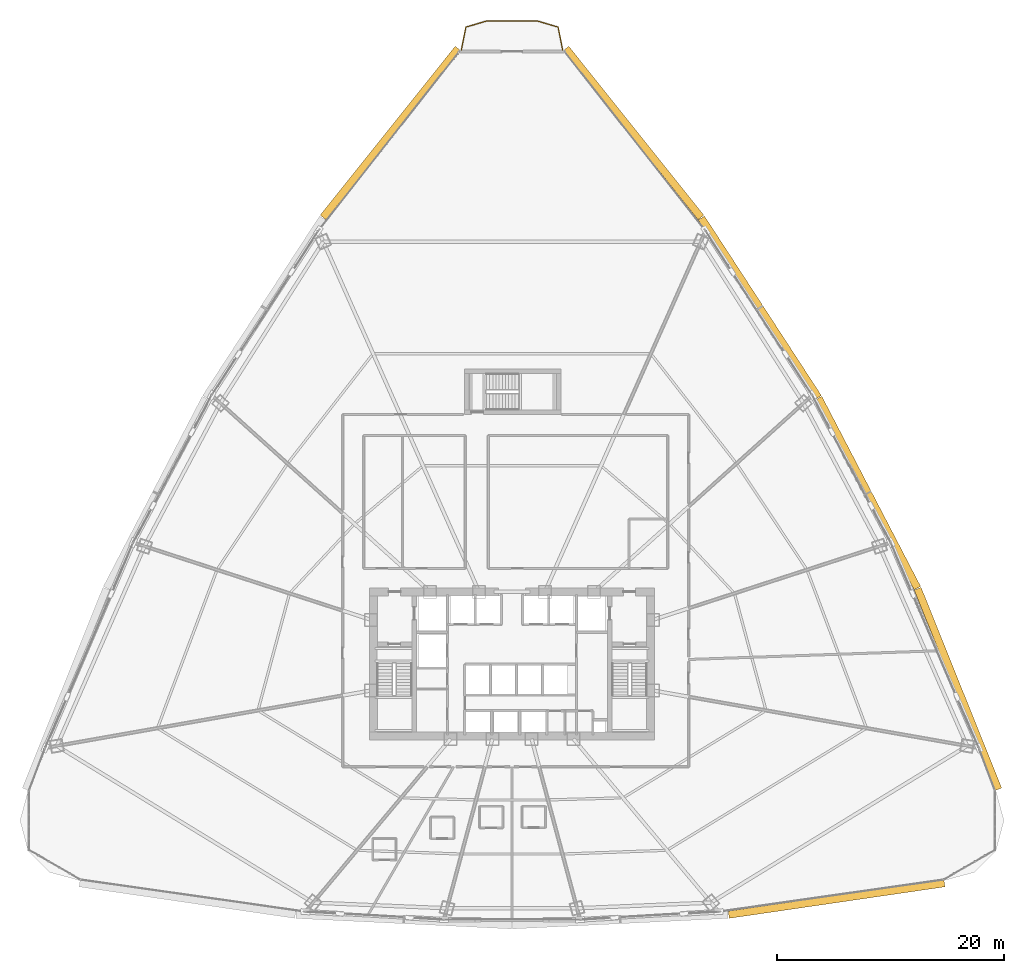
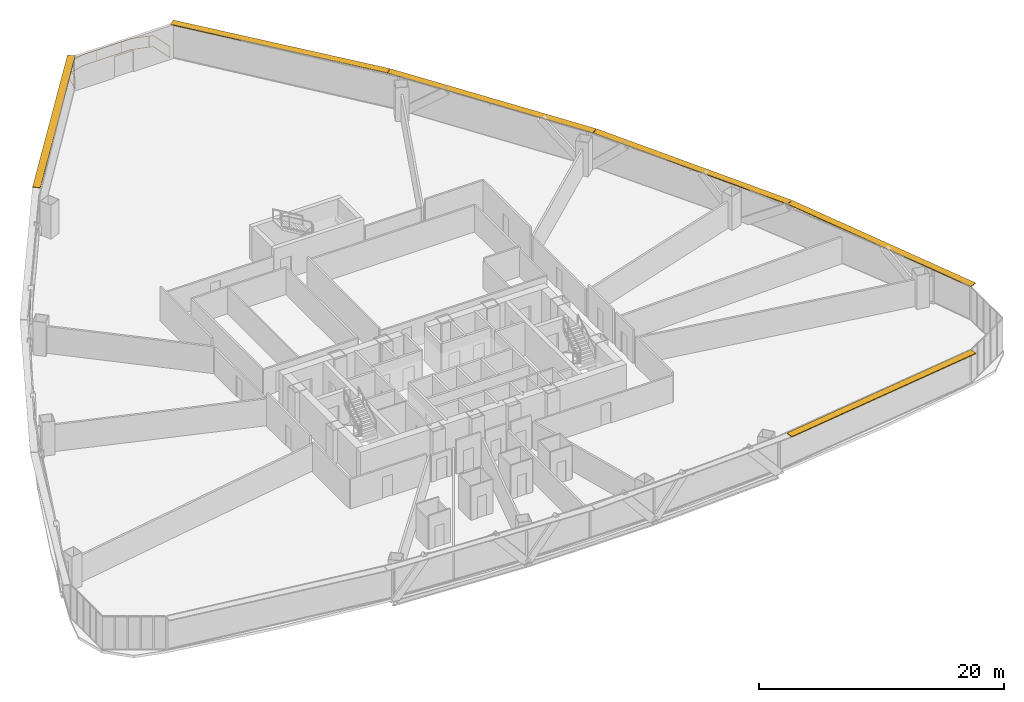
# One storey, part 41 of 41: 6 shading devices, 1 railing.
"""IFC4 building model written with IfcOpenShell, lengths in metres."""

import ifcopenshell
import ifcopenshell.guid

model = None  # the IFC model being written
_history = None  # IfcOwnerHistory: only IFC2X3 demands one
_inside = {}  # id of a spatial element -> (the spatial element, [elements in it])
_under = {}  # id of a project, library or spatial element -> (it, [spatial elements below it])
_declared = {}  # id of a project -> (the project, [libraries it declares])
_typed = {}  # id of a type object -> (the type object, [elements of that type])
_made_of = {}  # id of a material, layer set ... -> (it, [elements and type objects made of it])


def new_model(schema):
    """Start an empty IFC model of exactly this schema.

    Asked for "IFC4X3", IfcOpenShell would pick the latest addendum, in which some entities
    have other attributes; the version numbers below select the first issue.
    IFC2X3 requires an IfcOwnerHistory on every rooted entity: one is made here for all.
    """
    global model, _history
    if schema == "IFC4X3":
        model = ifcopenshell.file(schema_version=(4, 3, 0, 0))
    else:
        model = ifcopenshell.file(schema=schema)
    _inside.clear()
    _under.clear()
    _declared.clear()
    _typed.clear()
    _made_of.clear()
    _history = None
    if model.schema == "IFC2X3":
        org = make("IfcOrganization", Name="unknown")
        user = make(
            "IfcPersonAndOrganization",
            ThePerson=make("IfcPerson", FamilyName="unknown"),
            TheOrganization=org,
        )
        app = make(
            "IfcApplication",
            ApplicationDeveloper=org,
            Version="unknown",
            ApplicationFullName="unknown",
            ApplicationIdentifier="unknown",
        )
        _history = make(
            "IfcOwnerHistory",
            OwningUser=user,
            OwningApplication=app,
            ChangeAction="ADDED",
            CreationDate=0,
        )
    return model


def make(cls, **values):
    """One entity of the class cls with the attributes given. An attribute that is None is left unset."""
    return model.create_entity(
        cls, **{name: value for name, value in values.items() if value is not None}
    )


def rooted(cls, **values):
    """An entity with a GlobalId (a new one), such as an element, a storey or a relation."""
    return make(cls, GlobalId=ifcopenshell.guid.new(), OwnerHistory=_history, **values)


def si_unit(unit_type, name, prefix=None):
    """IfcSIUnit, for example si_unit("LENGTHUNIT", "METRE", prefix="MILLI")."""
    return make("IfcSIUnit", UnitType=unit_type, Prefix=prefix, Name=name)


def assignment(units):
    """IfcUnitAssignment: the units of a project."""
    return None if units is None else make("IfcUnitAssignment", Units=units)


def point(xyz):
    """IfcCartesianPoint."""
    return None if xyz is None else make("IfcCartesianPoint", Coordinates=xyz)


def direction(xyz):
    """IfcDirection."""
    return None if xyz is None else make("IfcDirection", DirectionRatios=xyz)


def frame(location, z_axis=None, x_axis=None):
    """IfcAxis2Placement3D, a coordinate frame: its origin and axes. An axis left out is left unset."""
    return make(
        "IfcAxis2Placement3D",
        Location=point(location),
        Axis=direction(z_axis),
        RefDirection=direction(x_axis),
    )


def frame_2d(location, x_axis=None):
    """IfcAxis2Placement2D, a coordinate frame in the plane: its origin and x axis."""
    return make(
        "IfcAxis2Placement2D", Location=point(location), RefDirection=direction(x_axis)
    )


def origin():
    """The frame at (0, 0, 0) with its axes left unset."""
    return frame((0.0, 0.0, 0.0))


def origin_2d():
    """The frame at (0, 0) in the plane with its x axis left unset."""
    return frame_2d((0.0, 0.0))


def place(relative_to, where):
    """IfcLocalPlacement: puts the frame where relative to a parent placement (None: the world)."""
    return make(
        "IfcLocalPlacement", PlacementRelTo=relative_to, RelativePlacement=where
    )


def context(
    kind, dimensions, precision=None, world=None, true_north=None, identifier=None
):
    """IfcGeometricRepresentationContext, for example the 3D "Model" context."""
    return make(
        "IfcGeometricRepresentationContext",
        ContextIdentifier=identifier,
        ContextType=kind,
        CoordinateSpaceDimension=dimensions,
        Precision=precision,
        WorldCoordinateSystem=world,
        TrueNorth=true_north,
    )


def subcontext(parent, identifier, kind, view, scale=None):
    """IfcGeometricRepresentationSubContext, for example "Body" below "Model"."""
    return make(
        "IfcGeometricRepresentationSubContext",
        ContextIdentifier=identifier,
        ContextType=kind,
        ParentContext=parent,
        TargetScale=scale,
        TargetView=view,
    )


def project(units=None, contexts=None):
    """IfcProject with its units and contexts."""
    return rooted(
        "IfcProject",
        Name="project",
        RepresentationContexts=contexts,
        UnitsInContext=assignment(units),
    )


def spatial(cls, under=None, at=None, **own):
    """A site, building, storey or space (cls), placed at a placement, below another one or the project."""
    s = rooted(cls, ObjectPlacement=at, **own)
    if under is not None:
        _under.setdefault(under.id(), (under, []))[1].append(s)
    return s


def profile(cls, at=None, kind="AREA", **sizes):
    """A parametric profile (cls). Its sizes go by their IFC names, for example OverallWidth=200.0."""
    return make(cls, ProfileType=kind, Position=at, **sizes)


def rectangle(**sizes):
    """IfcRectangleProfileDef."""
    return profile("IfcRectangleProfileDef", **sizes)


def extrude(swept, where, along, depth):
    """IfcExtrudedAreaSolid: the profile swept, set in the frame where, extruded along a direction by depth."""
    return make(
        "IfcExtrudedAreaSolid",
        SweptArea=swept,
        Position=where,
        ExtrudedDirection=direction(along),
        Depth=depth,
    )


def shape(context_of_items, identifier, shape_type, items):
    """IfcShapeRepresentation: the items that make up one representation, for example the "Body"."""
    return make(
        "IfcShapeRepresentation",
        ContextOfItems=context_of_items,
        RepresentationIdentifier=identifier,
        RepresentationType=shape_type,
        Items=items,
    )


def source(mapping_origin, context_of_items, identifier, shape_type, items):
    """IfcRepresentationMap: a shape defined once, which mapped items show again and again."""
    return make(
        "IfcRepresentationMap",
        MappingOrigin=mapping_origin,
        MappedRepresentation=shape(context_of_items, identifier, shape_type, items),
    )


def transform(
    local_origin,
    x_axis=None,
    y_axis=None,
    z_axis=None,
    scale=None,
    scale2=None,
    scale3=None,
    uniform=True,
):
    """IfcCartesianTransformationOperator3D, or its non-uniform kind. x_axis, y_axis, z_axis: its Axis1, 2, 3."""
    if uniform:
        return make(
            "IfcCartesianTransformationOperator3D",
            Axis1=direction(x_axis),
            Axis2=direction(y_axis),
            LocalOrigin=point(local_origin),
            Scale=scale,
            Axis3=direction(z_axis),
        )
    return make(
        "IfcCartesianTransformationOperator3DnonUniform",
        Axis1=direction(x_axis),
        Axis2=direction(y_axis),
        LocalOrigin=point(local_origin),
        Scale=scale,
        Axis3=direction(z_axis),
        Scale2=scale2,
        Scale3=scale3,
    )


def mapped(mapping_source, mapping_target):
    """IfcMappedItem: shows the shape of a source again, moved by a transform."""
    return make(
        "IfcMappedItem", MappingSource=mapping_source, MappingTarget=mapping_target
    )


def material(Name=None, Category=None):
    """IfcMaterial."""
    return make("IfcMaterial", Name=Name, Category=Category)


def layer(
    of_material, thickness, ventilated=None, Name=None, Category=None, Priority=None
):
    """IfcMaterialLayer: one layer of a wall or slab, of a material (None: an air gap)."""
    return make(
        "IfcMaterialLayer",
        Material=of_material,
        LayerThickness=thickness,
        IsVentilated=ventilated,
        Name=Name,
        Category=Category,
        Priority=Priority,
    )


def layer_set(layers, Name=None):
    """IfcMaterialLayerSet."""
    return make("IfcMaterialLayerSet", MaterialLayers=layers, LayerSetName=Name)


def made_of(thing, what):
    """Note that an element or type object is made of a material, layer set ...; save() writes the relation."""
    if what is not None:
        _made_of.setdefault(what.id(), (what, []))[1].append(thing)
    return thing


def type_object(cls, material=None, **own):
    """A type object (cls), such as IfcWallType, which elements share."""
    return made_of(rooted(cls, **own), material)


def element(
    cls,
    number,
    at=None,
    inside=None,
    cuts=None,
    type_object=None,
    material=None,
    context=None,
    identifier="Body",
    shape_type=None,
    held_by="IfcProductDefinitionShape",
    body=None,
    shapes=None,
    **own,
):
    """One element of the class cls, such as IfcWall. Its Tag is "e" and its number.

    at: its placement. inside: the storey or other place that contains it. cuts: it is an
    opening in that element (IfcRelVoidsElement). A single representation is given by context,
    identifier, shape_type and body (its items); several are given by shapes. held_by: the class
    of the entity that holds the representations. save() writes the other relations.
    """
    e = rooted(cls, Tag="e%d" % number, ObjectPlacement=at, **own)
    if body is not None:
        shapes = [shape(context, identifier, shape_type, body)]
    if shapes is not None:
        e.Representation = make(held_by, Representations=shapes)
    if inside is not None:
        _inside.setdefault(inside.id(), (inside, []))[1].append(e)
    if cuts is not None:
        rooted(
            "IfcRelVoidsElement", RelatingBuildingElement=cuts, RelatedOpeningElement=e
        )
    if type_object is not None:
        _typed.setdefault(type_object.id(), (type_object, []))[1].append(e)
    return made_of(e, material)


def aggregate(whole, parts):
    """IfcRelAggregates: a whole, such as a stair, and the parts it consists of."""
    return rooted("IfcRelAggregates", RelatingObject=whole, RelatedObjects=parts)


def save(model, path):
    """Write the relations noted so far, then the file.

    IfcRelAggregates (storeys below a building ...), IfcRelContainedInSpatialStructure (elements
    in a storey), IfcRelDefinesByType, IfcRelAssociatesMaterial and IfcRelDeclares: one each for
    every whole, place, type object, material and project.
    """
    for whole, parts in _under.values():
        aggregate(whole, parts)
    for where, things in _inside.values():
        rooted(
            "IfcRelContainedInSpatialStructure",
            RelatedElements=things,
            RelatingStructure=where,
        )
    for kind, things in _typed.values():
        rooted("IfcRelDefinesByType", RelatedObjects=things, RelatingType=kind)
    for what, things in _made_of.values():
        rooted("IfcRelAssociatesMaterial", RelatedObjects=things, RelatingMaterial=what)
    for by, libraries in _declared.values():
        rooted("IfcRelDeclares", RelatingContext=by, RelatedDefinitions=libraries)
    model.write(path)


model = new_model("IFC4")

# Units and contexts
model_context = context("Model", 3, precision=1e-05, world=origin(), true_north=direction((0.0, 1.0)))
body_context = subcontext(model_context, "Body", "Model", "MODEL_VIEW")
ifc_project = project(units=[si_unit("LENGTHUNIT", "METRE"), si_unit("AREAUNIT", "SQUARE_METRE"), si_unit("VOLUMEUNIT", "CUBIC_METRE"), si_unit("PLANEANGLEUNIT", "RADIAN"), si_unit("MASSUNIT", "GRAM", prefix="KILO"), si_unit("THERMODYNAMICTEMPERATUREUNIT", "KELVIN"), si_unit("POWERUNIT", "WATT")], contexts=[model_context])

# Site, building, storey
site_placement = place(None, origin())
site = spatial("IfcSite", under=ifc_project, at=site_placement, CompositionType="ELEMENT")
building_placement = place(site_placement, origin())
building = spatial("IfcBuilding", under=site, at=building_placement, Name="Yunzhuo Pagoda Commons", CompositionType="ELEMENT")
storey_placement = place(building_placement, frame((0.0, 0.0, 63.070068359375)))
storey = spatial("IfcBuildingStorey", under=building, at=storey_placement, Name="L16", CompositionType="ELEMENT", Elevation=63.070068359375)

# Railing
ifc_material = material(Name="Anodized aluminium 6063-T6", Category="aluminium")
railing_type = type_object("IfcRailingType", Name="RL-BAL1 Exterior Terrace & Balcony Balustrade 1150", PredefinedType="BALUSTRADE", material=ifc_material)
railing_placement = place(storey_placement, frame((52.462890625, 87.865234375, 0.0)))
element("IfcRailing", 1, at=railing_placement, inside=storey, type_object=railing_type, Name="L16 corner balcony balustrade V3", PredefinedType="BALUSTRADE", context=body_context, shape_type="SweptSolid", body=[
    extrude(rectangle(XDim=0.048095703125, YDim=0.048095703125, at=origin_2d()), frame((0.0, 0.0, 1.1259765625), z_axis=(-0.194200568098, 0.980961843983, 0.0), x_axis=(-0.980961843983, -0.194200568098, 0.0)), (0.0, 0.0, 1.0), 2.059326171875),
    extrude(rectangle(XDim=0.048095703125, YDim=0.048095703125, at=origin_2d()), frame((0.0, 0.0, 0.02392578125), z_axis=(-0.194200568098, 0.980961843983, 0.0), x_axis=(-0.980961843983, -0.194200568098, 0.0)), (0.0, 0.0, 1.0), 2.059326171875),
    extrude(rectangle(XDim=0.048095703125, YDim=0.048095703125, at=origin_2d()), frame((-0.39990234375, 2.02001953125, 1.1259765625), z_axis=(-0.958912727706, 0.283701217205, 0.0), x_axis=(-0.283701217205, -0.958912727706, 0.0)), (0.0, 0.0, 1.0), 1.8681640625),
    extrude(rectangle(XDim=0.048095703125, YDim=0.048095703125, at=origin_2d()), frame((-0.39990234375, 2.02001953125, 0.02392578125), z_axis=(-0.958912727706, 0.283701217205, 0.0), x_axis=(-0.283701217205, -0.958912727706, 0.0)), (0.0, 0.0, 1.0), 1.8681640625),
    extrude(rectangle(XDim=0.048095703125, YDim=0.048095703125, at=origin_2d()), frame((-2.19140625, 2.550048828125, 1.1259765625), z_axis=(-1.0, 0.0, 0.0), x_axis=(0.0, -1.0, 0.0)), (0.0, 0.0, 1.0), 4.54296875),
    extrude(rectangle(XDim=0.048095703125, YDim=0.048095703125, at=origin_2d()), frame((-2.19140625, 2.550048828125, 0.02392578125), z_axis=(-1.0, 0.0, 0.0), x_axis=(0.0, -1.0, 0.0)), (0.0, 0.0, 1.0), 4.54296875),
    extrude(rectangle(XDim=0.048095703125, YDim=0.048095703125, at=origin_2d()), frame((-6.734375, 2.550048828125, 1.1259765625), z_axis=(-0.958912727706, -0.283701217205, 0.0), x_axis=(0.283701217205, -0.958912727706, 0.0)), (0.0, 0.0, 1.0), 1.8681640625),
    extrude(rectangle(XDim=0.048095703125, YDim=0.048095703125, at=origin_2d()), frame((-6.734375, 2.550048828125, 0.02392578125), z_axis=(-0.958912727706, -0.283701217205, 0.0), x_axis=(0.283701217205, -0.958912727706, 0.0)), (0.0, 0.0, 1.0), 1.8681640625),
    extrude(rectangle(XDim=0.048095703125, YDim=0.048095703125, at=origin_2d()), frame((-8.52587890625, 2.02001953125, 1.1259765625), z_axis=(-0.194200568098, -0.980961843983, 0.0), x_axis=(0.980961843983, -0.194200568098, 0.0)), (0.0, 0.0, 1.0), 2.059326171875),
    extrude(rectangle(XDim=0.048095703125, YDim=0.048095703125, at=origin_2d()), frame((-8.52587890625, 2.02001953125, 0.02392578125), z_axis=(-0.194200568098, -0.980961843983, 0.0), x_axis=(0.980961843983, -0.194200568098, 0.0)), (0.0, 0.0, 1.0), 2.059326171875),
    extrude(rectangle(XDim=0.0419921875, YDim=0.0419921875, at=origin_2d()), origin(), (0.0, 0.0, 1.0), 1.101806640625),
    extrude(rectangle(XDim=0.0419921875, YDim=0.0419921875, at=origin_2d()), frame((-0.7265625, 2.11669921875, 0.0)), (0.0, 0.0, 1.0), 1.101806640625),
    extrude(rectangle(XDim=0.0419921875, YDim=0.0419921875, at=origin_2d()), frame((-3.06396484375, 2.550048828125, 0.0)), (0.0, 0.0, 1.0), 1.101806640625),
    extrude(rectangle(XDim=0.0419921875, YDim=0.0419921875, at=origin_2d()), frame((-5.4638671875, 2.550048828125, 0.0)), (0.0, 0.0, 1.0), 1.101806640625),
    extrude(rectangle(XDim=0.0419921875, YDim=0.0419921875, at=origin_2d()), frame((-7.817626953125, 2.2294921875, 0.0)), (0.0, 0.0, 1.0), 1.101806640625),
    extrude(rectangle(XDim=0.0419921875, YDim=0.0419921875, at=origin_2d()), frame((-8.848388671875, 0.390380859375, 0.0)), (0.0, 0.0, 1.0), 1.101806640625),
    extrude(rectangle(XDim=0.0419921875, YDim=0.0419921875, at=origin_2d()), frame((-8.92578125, 0.0, 0.0)), (0.0, 0.0, 1.0), 1.101806640625),
])

# Shading devices
ifc_layer = layer(ifc_material, 0.080078125)
ifc_layer_set = layer_set([ifc_layer], Name="Anodized aluminium 6063-T6")
shading_device_type = type_object("IfcShadingDeviceType", Name="SH-SUN1 Pagoda Horizontal Sunshade Eave 650", PredefinedType="USERDEFINED", material=ifc_layer_set)
shared_shape_1 = source(origin(), body_context, "Body", "SweptSolid", [
    extrude(rectangle(XDim=19.1787109375, YDim=0.64990234375, at=origin_2d()), origin(), (0.0, 0.0, 1.0), 0.080078125),
])
shading_device_1_placement = place(storey_placement, frame((76.560302734375, 13.1708984375, 3.289794921875), z_axis=(0.0, 0.0, 1.0), x_axis=(0.989510666697, 0.144459823108, 0.0)))
element("IfcShadingDevice", 2, at=shading_device_1_placement, inside=storey, type_object=shading_device_type, Name="L16 horizontal pagoda sunshade eave F1.4", ObjectType="SUNSHADE", PredefinedType="USERDEFINED", context=body_context, shape_type="MappedRepresentation", body=[
    mapped(shared_shape_1, transform((0.0, 0.0, 0.0), scale=1.0)),
])
shared_shape_2 = source(origin(), body_context, "Body", "SweptSolid", [
    extrude(rectangle(XDim=19.0244140625, YDim=0.64990234375, at=origin_2d()), origin(), (0.0, 0.0, 1.0), 0.080078125),
])
shading_device_2_placement = place(storey_placement, frame((87.244384765625, 31.642333984375, 3.289794921875), z_axis=(0.0, 0.0, 1.0), x_axis=(-0.372987782576, 0.927836253899, 0.0)))
element("IfcShadingDevice", 3, at=shading_device_2_placement, inside=storey, type_object=shading_device_type, Name="L16 horizontal pagoda sunshade eave F2.1", ObjectType="SUNSHADE", PredefinedType="USERDEFINED", context=body_context, shape_type="MappedRepresentation", body=[
    mapped(shared_shape_2, transform((0.0, 0.0, 0.0), scale=1.0)),
])
shared_shape_3 = source(origin(), body_context, "Body", "SweptSolid", [
    extrude(rectangle(XDim=18.843994140625, YDim=0.64990234375, at=origin_2d()), origin(), (0.0, 0.0, 1.0), 0.080078125),
])
for number, where, z_axis, x_axis, name in (
    (4, (79.324462890625, 48.8857421875, 3.289794921875), (0.0, 0.0, 1.0), (-0.461206683033, 0.88729273384, 0.0), "L16 horizontal pagoda sunshade eave F2.2"),
    (5, (69.803955078125, 65.1953125, 3.289794921875), (0.0, 0.0, 1.0), (-0.545838756973, 0.837890238269, 0.0), "L16 horizontal pagoda sunshade eave F2.3"),
):
    element("IfcShadingDevice", number, at=place(storey_placement, frame(where, z_axis=z_axis, x_axis=x_axis)), inside=storey, type_object=shading_device_type, Name=name, ObjectType="SUNSHADE", PredefinedType="USERDEFINED", context=body_context, shape_type="MappedRepresentation", body=[
        mapped(shared_shape_3, transform((0.0, 0.0, 0.0), scale=1.0)),
    ])
shared_shape_4 = source(origin(), body_context, "Body", "SweptSolid", [
    extrude(rectangle(XDim=19.024658203125, YDim=0.64990234375, at=origin_2d()), origin(), (0.0, 0.0, 1.0), 0.080078125),
])
for number, where, z_axis, x_axis, name in (
    (6, (58.683349609375, 80.5703125, 3.289794921875), (0.0, 0.0, 1.0), (-0.624520471688, 0.781008438138, 0.0), "L16 horizontal pagoda sunshade eave F2.4"),
    (7, (37.316650390625, 80.5703125, 3.289794921875), (0.0, 0.0, 1.0), (-0.624520471688, -0.781008438138, 0.0), "L16 horizontal pagoda sunshade eave F3.1"),
):
    element("IfcShadingDevice", number, at=place(storey_placement, frame(where, z_axis=z_axis, x_axis=x_axis)), inside=storey, type_object=shading_device_type, Name=name, ObjectType="SUNSHADE", PredefinedType="USERDEFINED", context=body_context, shape_type="MappedRepresentation", body=[
        mapped(shared_shape_4, transform((0.0, 0.0, 0.0), scale=1.0)),
    ])

save(model, "model.ifc")
